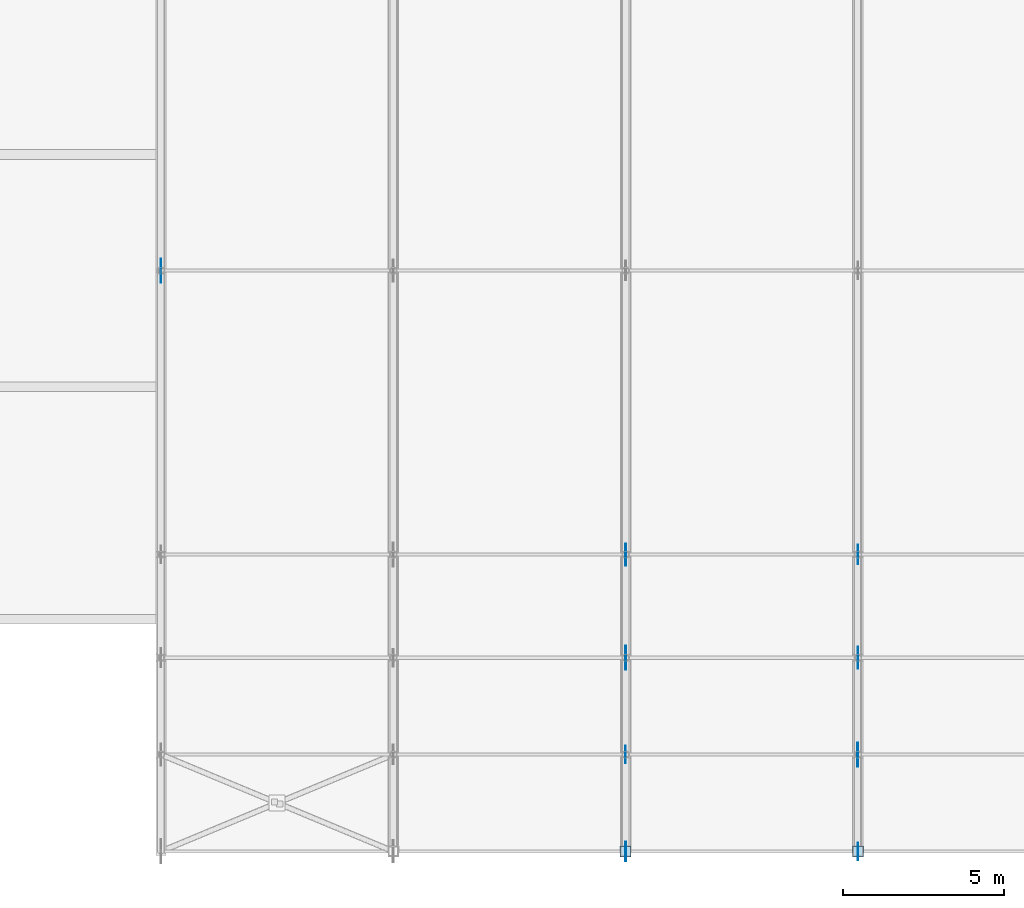
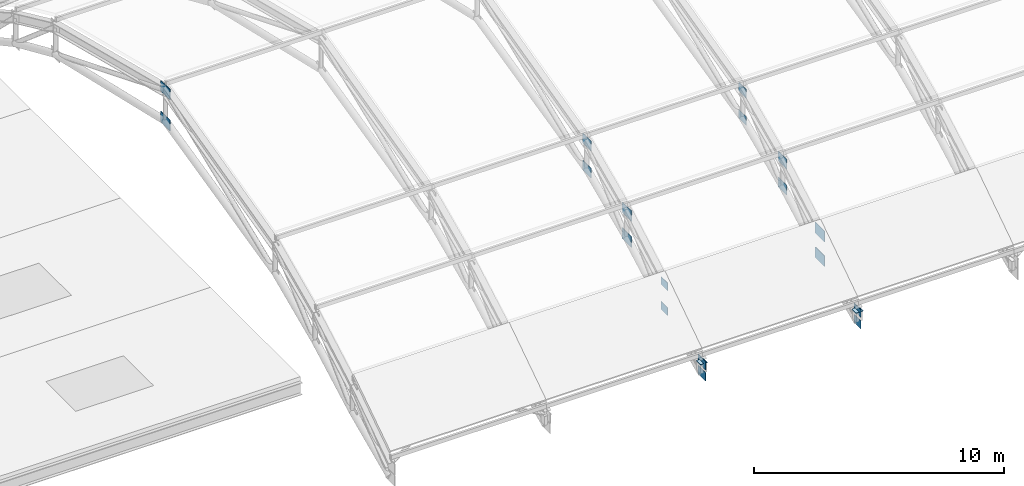
# One storey, part 44 of 63: 20 plates.
"""IFC4 building model written with IfcOpenShell, lengths in metres."""

from ifc_helpers import new_model, si_unit, direction, frame, origin, origin_2d, place, context, subcontext, project, spatial, rectangle, extrude, material, layer, layer_set, type_object, element, save


model = new_model("IFC4")

# Units and contexts
model_context = context("Model", 3, precision=1e-05, world=origin(), true_north=direction((0.0, 1.0)))
body_context = subcontext(model_context, "Body", "Model", "MODEL_VIEW")
ifc_project = project(units=[si_unit("LENGTHUNIT", "METRE"), si_unit("AREAUNIT", "SQUARE_METRE"), si_unit("VOLUMEUNIT", "CUBIC_METRE"), si_unit("PLANEANGLEUNIT", "RADIAN"), si_unit("MASSUNIT", "GRAM", prefix="KILO")], contexts=[model_context])

# Site, building, storey
site_placement = place(None, origin())
site = spatial("IfcSite", under=ifc_project, at=site_placement, CompositionType="ELEMENT")
building_placement = place(site_placement, origin())
building = spatial("IfcBuilding", under=site, at=building_placement, Name="Solvadek Multi-Sports Hall", CompositionType="ELEMENT")
storey_placement = place(building_placement, frame((0.0, 0.0, 19.199951171875)))
storey = spatial("IfcBuildingStorey", under=building, at=storey_placement, Name="RF", CompositionType="ELEMENT", Elevation=19.199951171875)

# Plates
ifc_material = material(Name="Steel E350 (350 MPa)", Category="steel")
ifc_layer_1 = layer(ifc_material, 0.02001953125, Name="Steel E350 (350 MPa)")
ifc_layer_set_1 = layer_set([ifc_layer_1], Name="Steel E350 (350 MPa)")
plate_type_1 = type_object("IfcPlateType", Name="STR-PLT-CAP340", PredefinedType="USERDEFINED", material=ifc_layer_set_1)
for number, where, z_axis, x_axis, name in (
    (1, (100.800048828125, 6.0, -3.550048828125), (0.0, 0.0, 1.0), (1.0, 0.0, 0.0), "v1 Bearing Post Cap #3.0"),
    (2, (108.0, 6.0, -3.550048828125), (0.0, 0.0, 1.0), (1.0, 0.0, 0.0), "v1 Bearing Post Cap #4.0"),
):
    element("IfcPlate", number, at=place(storey_placement, frame(where, z_axis=z_axis, x_axis=x_axis)), inside=storey, type_object=plate_type_1, Name=name, ObjectType="BASE_PLATE", PredefinedType="USERDEFINED", context=body_context, shape_type="SweptSolid", body=[
        extrude(rectangle(XDim=0.340087890625, YDim=0.340087890625, at=origin_2d()), origin(), (0.0, 0.0, 1.0), 0.02001953125),
    ])
ifc_layer_2 = layer(ifc_material, 0.02197265625, Name="Steel E350 (350 MPa)")
ifc_layer_set_2 = layer_set([ifc_layer_2], Name="Steel E350 (350 MPa)")
plate_type_2 = type_object("IfcPlateType", Name="STR-PLT-GUS540", PredefinedType="USERDEFINED", material=ifc_layer_set_2)
for number, where, z_axis, x_axis, name in (
    (3, (100.800048828125, 9.0, -1.735595703125), (0.0, 0.0, 1.0), (0.0, 1.0, 0.0), "V1 Truss Top Gusset Plate #39"),
    (4, (100.800048828125, 9.0, -2.944091796875), (0.0, 0.0, 1.0), (0.0, 1.0, 0.0), "V1 Truss Bottom Gusset Plate #40"),
    (5, (108.0, 6.0, -3.739990234375), (0.0, 0.0, 1.0), (0.0, 1.0, 0.0), "V1 Truss Top Gusset Plate #55"),
    (6, (108.0, 6.0, -4.289794921875), (0.0, 0.0, 1.0), (0.0, 1.0, 0.0), "V1 Truss Bottom Gusset Plate #56"),
):
    element("IfcPlate", number, at=place(storey_placement, frame(where, z_axis=z_axis, x_axis=x_axis)), inside=storey, type_object=plate_type_2, Name=name, ObjectType="GUSSET_PLATE", PredefinedType="USERDEFINED", context=body_context, shape_type="SweptSolid", body=[
        extrude(rectangle(XDim=0.5400390625, YDim=0.02197265625, at=origin_2d()), origin(), (0.0, 0.0, 1.0), 0.3798828125),
    ])
ifc_layer_3 = layer(ifc_material, 0.02392578125, Name="Steel E350 (350 MPa)")
ifc_layer_set_3 = layer_set([ifc_layer_3], Name="Steel E350 (350 MPa)")
plate_type_3 = type_object("IfcPlateType", Name="STR-PLT-GUS600", PredefinedType="USERDEFINED", material=ifc_layer_set_3)
for number, where, z_axis, x_axis, name in (
    (7, (100.800048828125, 6.0, -3.760009765625), (0.0, 0.0, 1.0), (0.0, 1.0, 0.0), "V1 Truss Top Gusset Plate #37"),
    (8, (100.800048828125, 6.0, -4.309814453125), (0.0, 0.0, 1.0), (0.0, 1.0, 0.0), "V1 Truss Bottom Gusset Plate #38"),
    (9, (108.0, 15.199951171875, 1.4091796875), (0.0, 0.0, 1.0), (0.0, 1.0, 0.0), "V1 Truss Top Gusset Plate #61"),
    (10, (108.0, 15.199951171875, 0.080078125), (0.0, 0.0, 1.0), (0.0, 1.0, 0.0), "V1 Truss Bottom Gusset Plate #62"),
):
    element("IfcPlate", number, at=place(storey_placement, frame(where, z_axis=z_axis, x_axis=x_axis)), inside=storey, type_object=plate_type_3, Name=name, ObjectType="GUSSET_PLATE", PredefinedType="USERDEFINED", context=body_context, shape_type="SweptSolid", body=[
        extrude(rectangle(XDim=0.60009765625, YDim=0.02392578125, at=origin_2d()), origin(), (0.0, 0.0, 1.0), 0.419921875),
    ])
ifc_layer_4 = layer(ifc_material, 0.02587890625, Name="Steel E350 (350 MPa)")
ifc_layer_set_4 = layer_set([ifc_layer_4], Name="Steel E350 (350 MPa)")
plate_type_4 = type_object("IfcPlateType", Name="STR-PLT-GUS680", PredefinedType="USERDEFINED", material=ifc_layer_set_4)
for number, where, z_axis, x_axis, name in (
    (11, (100.800048828125, 15.199951171875, 1.379150390625), (0.0, 0.0, 1.0), (0.0, 1.0, 0.0), "V1 Truss Top Gusset Plate #43"),
    (12, (100.800048828125, 15.199951171875, 0.050048828125), (0.0, 0.0, 1.0), (0.0, 1.0, 0.0), "V1 Truss Bottom Gusset Plate #44"),
    (13, (108.0, 12.0, -0.08984375), (0.0, 0.0, 1.0), (0.0, 1.0, 0.0), "V1 Truss Top Gusset Plate #59"),
    (14, (108.0, 12.0, -1.356689453125), (0.0, 0.0, 1.0), (0.0, 1.0, 0.0), "V1 Truss Bottom Gusset Plate #60"),
):
    element("IfcPlate", number, at=place(storey_placement, frame(where, z_axis=z_axis, x_axis=x_axis)), inside=storey, type_object=plate_type_4, Name=name, ObjectType="GUSSET_PLATE", PredefinedType="USERDEFINED", context=body_context, shape_type="SweptSolid", body=[
        extrude(rectangle(XDim=0.679931640625, YDim=0.02587890625, at=origin_2d()), origin(), (0.0, 0.0, 1.0), 0.47998046875),
    ])
ifc_layer_5 = layer(ifc_material, 0.028076171875, Name="Steel E350 (350 MPa)")
ifc_layer_set_5 = layer_set([ifc_layer_5], Name="Steel E350 (350 MPa)")
plate_type_5 = type_object("IfcPlateType", Name="STR-PLT-GUS740", PredefinedType="USERDEFINED", material=ifc_layer_set_5)
for number, where, z_axis, x_axis, name in (
    (15, (86.39990234375, 24.0, 3.590087890625), (0.0, 0.0, 1.0), (0.0, 1.0, 0.0), "V1 Truss Top Gusset Plate #9"),
    (16, (86.39990234375, 24.0, 2.090087890625), (0.0, 0.0, 1.0), (0.0, 1.0, 0.0), "V1 Truss Bottom Gusset Plate #10"),
    (17, (100.800048828125, 12.0, -0.10986328125), (0.0, 0.0, 1.0), (0.0, 1.0, 0.0), "V1 Truss Top Gusset Plate #41"),
    (18, (100.800048828125, 12.0, -1.376708984375), (0.0, 0.0, 1.0), (0.0, 1.0, 0.0), "V1 Truss Bottom Gusset Plate #42"),
    (19, (108.0, 9.0, -1.8056640625), (0.0, 0.0, 1.0), (0.0, 1.0, 0.0), "V1 Truss Top Gusset Plate #57"),
    (20, (108.0, 9.0, -3.01416015625), (0.0, 0.0, 1.0), (0.0, 1.0, 0.0), "V1 Truss Bottom Gusset Plate #58"),
):
    element("IfcPlate", number, at=place(storey_placement, frame(where, z_axis=z_axis, x_axis=x_axis)), inside=storey, type_object=plate_type_5, Name=name, ObjectType="GUSSET_PLATE", PredefinedType="USERDEFINED", context=body_context, shape_type="SweptSolid", body=[
        extrude(rectangle(XDim=0.739990234375, YDim=0.028076171875, at=origin_2d()), origin(), (0.0, 0.0, 1.0), 0.52001953125),
    ])

save(model, "model.ifc")
